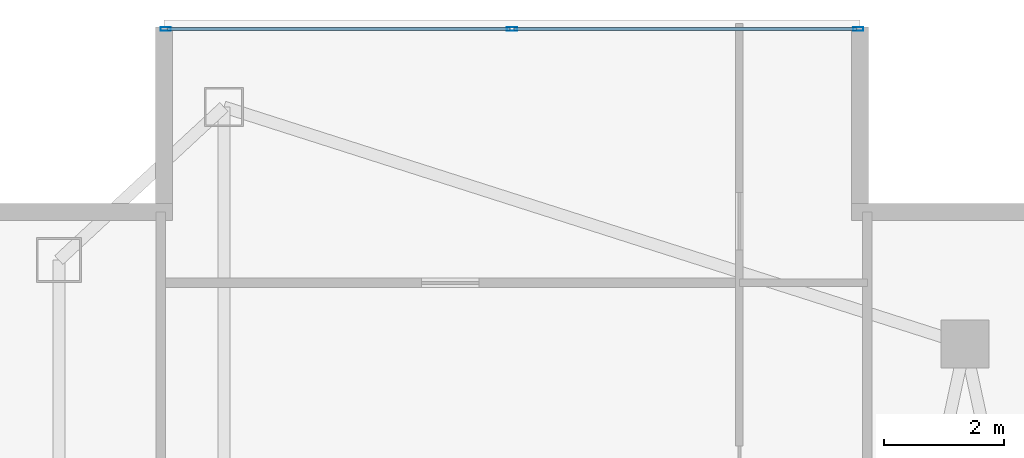
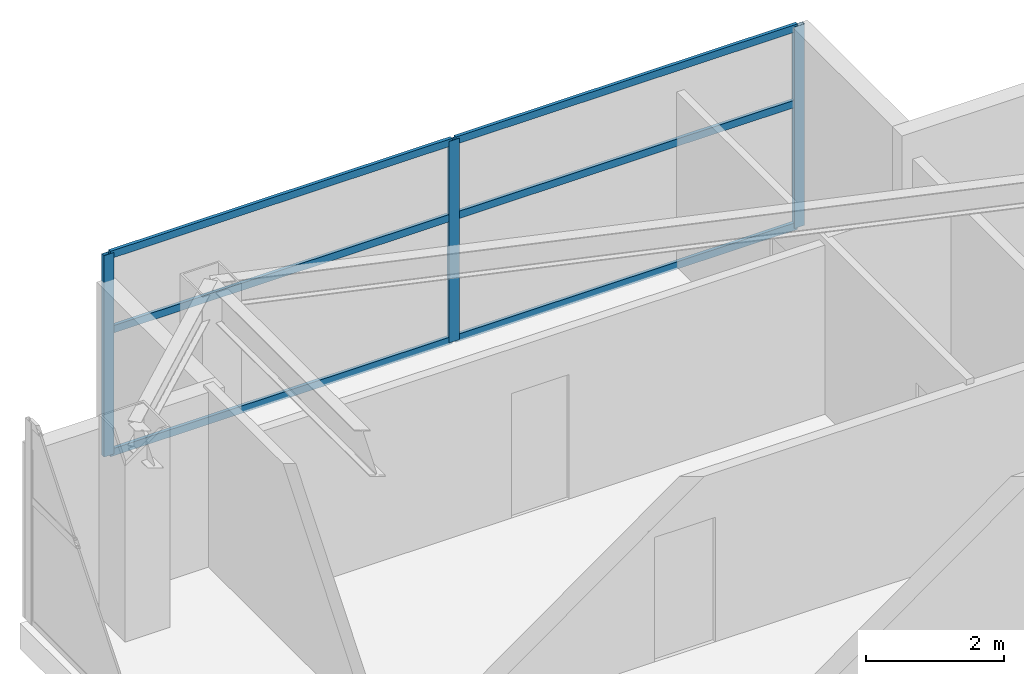
# One storey, part 20 of 27: 9 members, 1 element without a shape of its own.
"""IFC4 building model written with IfcOpenShell, lengths in metres."""

from ifc_helpers import new_model, si_unit, direction, frame, origin, origin_2d, place, context, subcontext, project, spatial, hollow_rectangle, extrude, material, layer, layer_set, material_profile, profile_set, type_object, element, aggregate, save


model = new_model("IFC4")

# Units and contexts
model_context = context("Model", 3, precision=1e-05, world=origin(), true_north=direction((0.0, 1.0)))
body_context = subcontext(model_context, "Body", "Model", "MODEL_VIEW")
ifc_project = project(units=[si_unit("LENGTHUNIT", "METRE"), si_unit("AREAUNIT", "SQUARE_METRE"), si_unit("VOLUMEUNIT", "CUBIC_METRE"), si_unit("PLANEANGLEUNIT", "RADIAN"), si_unit("MASSUNIT", "GRAM", prefix="KILO")], contexts=[model_context])

# Site, building, storey
site_placement = place(None, origin())
site = spatial("IfcSite", under=ifc_project, at=site_placement, CompositionType="ELEMENT")
building_placement = place(site_placement, origin())
building = spatial("IfcBuilding", under=site, at=building_placement, Name="Calvorn Quay Hotel", CompositionType="ELEMENT")
storey_placement = place(building_placement, frame((0.0, 0.0, 287.300048828125)))
storey = spatial("IfcBuildingStorey", under=building, at=storey_placement, Name="L71", CompositionType="ELEMENT", Elevation=287.300048828125)

# Curtain wall, members
ifc_material_1 = material(Name="Champagne Bronze Anodised Aluminium and Low-E Glass", Category="aluminium")
ifc_layer = layer(ifc_material_1, 0.219970703125)
ifc_layer_set = layer_set([ifc_layer], Name="CW-SYS-Z4")
curtain_wall_type = type_object("IfcCurtainWallType", Name="CW-SYS-Z4", PredefinedType="NOTDEFINED", material=ifc_layer_set)
curtain_wall_placement = place(storey_placement, origin())
curtain_wall = element("IfcCurtainWall", 1, at=curtain_wall_placement, inside=storey, type_object=curtain_wall_type, Name="Inner Court Curtain Wall L71-N1", PredefinedType="NOTDEFINED")
ifc_material_2 = material(Name="Champagne Bronze Anodised Aluminium 6063-T6", Category="aluminium")
ifc_material_profile_1 = material_profile(ifc_material_2, hollow_rectangle(XDim=0.06494140625, YDim=0.169921875, WallThickness=0.00341796875, at=origin_2d()), Name="ALU-M170x65x3.5")
ifc_profile_set_1 = profile_set([ifc_material_profile_1], Name="Champagne Bronze Anodised Aluminium 6063-T6")
member_type_1 = type_object("IfcMemberType", Name="CW-SYS-Z4-MUL", PredefinedType="MULLION", material=ifc_profile_set_1)
member_1_placement = place(storey_placement, frame((14.77001953125, 50.85009765625, 0.0), z_axis=(0.0, 0.0, 1.0), x_axis=(0.0, -1.0, 0.0)))
member_1 = element("IfcMember", 2, at=member_1_placement, type_object=member_type_1, Name="CW-L71-N1 mullion 1", PredefinedType="MULLION", context=body_context, shape_type="SweptSolid", body=[
    extrude(hollow_rectangle(XDim=0.06494140625, YDim=0.169921875, WallThickness=0.00341796875, at=origin_2d()), origin(), (0.0, 0.0, 1.0), 3.56005859375),
])
member_2_placement = place(storey_placement, frame((9.0, 50.85009765625, 0.0), z_axis=(0.0, 0.0, 1.0), x_axis=(0.0, -1.0, 0.0)))
member_2 = element("IfcMember", 3, at=member_2_placement, type_object=member_type_1, Name="CW-L71-N1 mullion 2", PredefinedType="MULLION", context=body_context, shape_type="SweptSolid", body=[
    extrude(hollow_rectangle(XDim=0.06494140625, YDim=0.169921875, WallThickness=0.00341796875, at=origin_2d()), origin(), (0.0, 0.0, 1.0), 3.56005859375),
])
member_3_placement = place(storey_placement, frame((3.22998046875, 50.85009765625, 0.0), z_axis=(0.0, 0.0, 1.0), x_axis=(0.0, -1.0, 0.0)))
member_3 = element("IfcMember", 4, at=member_3_placement, type_object=member_type_1, Name="CW-L71-N1 mullion 3", PredefinedType="MULLION", context=body_context, shape_type="SweptSolid", body=[
    extrude(hollow_rectangle(XDim=0.06494140625, YDim=0.169921875, WallThickness=0.00341796875, at=origin_2d()), origin(), (0.0, 0.0, 1.0), 3.56005859375),
])
ifc_material_3 = material(Name="Champagne Bronze Anodised Aluminium 6063-T6", Category="aluminium")
ifc_material_profile_2 = material_profile(ifc_material_3, hollow_rectangle(XDim=0.054931640625, YDim=0.1298828125, WallThickness=0.003173828125, at=origin_2d()), Name="ALU-T130x55x3.2")
ifc_profile_set_2 = profile_set([ifc_material_profile_2], Name="Champagne Bronze Anodised Aluminium 6063-T6")
member_type_2 = type_object("IfcMemberType", Name="CW-SYS-Z4-TRN", PredefinedType="USERDEFINED", material=ifc_profile_set_2)
member_4_placement = place(storey_placement, frame((14.739990234375, 50.85009765625, 0.030029296875), z_axis=(-1.0, 0.0, 0.0), x_axis=(0.0, -1.0, 0.0)))
member_4 = element("IfcMember", 5, at=member_4_placement, type_object=member_type_2, Name="CW-L71-N1 transom 1.1", ObjectType="TRANSOM", PredefinedType="USERDEFINED", context=body_context, shape_type="SweptSolid", body=[
    extrude(hollow_rectangle(XDim=0.054931640625, YDim=0.1298828125, WallThickness=0.003173828125, at=origin_2d()), origin(), (0.0, 0.0, 1.0), 5.7099609375),
])
member_5_placement = place(storey_placement, frame((14.739990234375, 50.85009765625, 2.199951171875), z_axis=(-1.0, 0.0, 0.0), x_axis=(0.0, -1.0, 0.0)))
member_5 = element("IfcMember", 6, at=member_5_placement, type_object=member_type_2, Name="CW-L71-N1 transom 1.2", ObjectType="TRANSOM", PredefinedType="USERDEFINED", context=body_context, shape_type="SweptSolid", body=[
    extrude(hollow_rectangle(XDim=0.054931640625, YDim=0.1298828125, WallThickness=0.003173828125, at=origin_2d()), origin(), (0.0, 0.0, 1.0), 5.7099609375),
])
member_6_placement = place(storey_placement, frame((14.739990234375, 50.85009765625, 3.530029296875), z_axis=(-1.0, 0.0, 0.0), x_axis=(0.0, -1.0, 0.0)))
member_6 = element("IfcMember", 7, at=member_6_placement, type_object=member_type_2, Name="CW-L71-N1 transom 1.3", ObjectType="TRANSOM", PredefinedType="USERDEFINED", context=body_context, shape_type="SweptSolid", body=[
    extrude(hollow_rectangle(XDim=0.054931640625, YDim=0.1298828125, WallThickness=0.003173828125, at=origin_2d()), origin(), (0.0, 0.0, 1.0), 5.7099609375),
])
member_7_placement = place(storey_placement, frame((8.969970703125, 50.85009765625, 0.030029296875), z_axis=(-1.0, 0.0, 0.0), x_axis=(0.0, -1.0, 0.0)))
member_7 = element("IfcMember", 8, at=member_7_placement, type_object=member_type_2, Name="CW-L71-N1 transom 2.1", ObjectType="TRANSOM", PredefinedType="USERDEFINED", context=body_context, shape_type="SweptSolid", body=[
    extrude(hollow_rectangle(XDim=0.054931640625, YDim=0.1298828125, WallThickness=0.003173828125, at=origin_2d()), origin(), (0.0, 0.0, 1.0), 5.7099609375),
])
member_8_placement = place(storey_placement, frame((8.969970703125, 50.85009765625, 2.199951171875), z_axis=(-1.0, 0.0, 0.0), x_axis=(0.0, -1.0, 0.0)))
member_8 = element("IfcMember", 9, at=member_8_placement, type_object=member_type_2, Name="CW-L71-N1 transom 2.2", ObjectType="TRANSOM", PredefinedType="USERDEFINED", context=body_context, shape_type="SweptSolid", body=[
    extrude(hollow_rectangle(XDim=0.054931640625, YDim=0.1298828125, WallThickness=0.003173828125, at=origin_2d()), origin(), (0.0, 0.0, 1.0), 5.7099609375),
])
member_9_placement = place(storey_placement, frame((8.969970703125, 50.85009765625, 3.530029296875), z_axis=(-1.0, 0.0, 0.0), x_axis=(0.0, -1.0, 0.0)))
member_9 = element("IfcMember", 10, at=member_9_placement, type_object=member_type_2, Name="CW-L71-N1 transom 2.3", ObjectType="TRANSOM", PredefinedType="USERDEFINED", context=body_context, shape_type="SweptSolid", body=[
    extrude(hollow_rectangle(XDim=0.054931640625, YDim=0.1298828125, WallThickness=0.003173828125, at=origin_2d()), origin(), (0.0, 0.0, 1.0), 5.7099609375),
])
aggregate(curtain_wall, [member_1, member_2, member_3, member_4, member_5, member_6, member_7, member_8, member_9])

save(model, "model.ifc")
